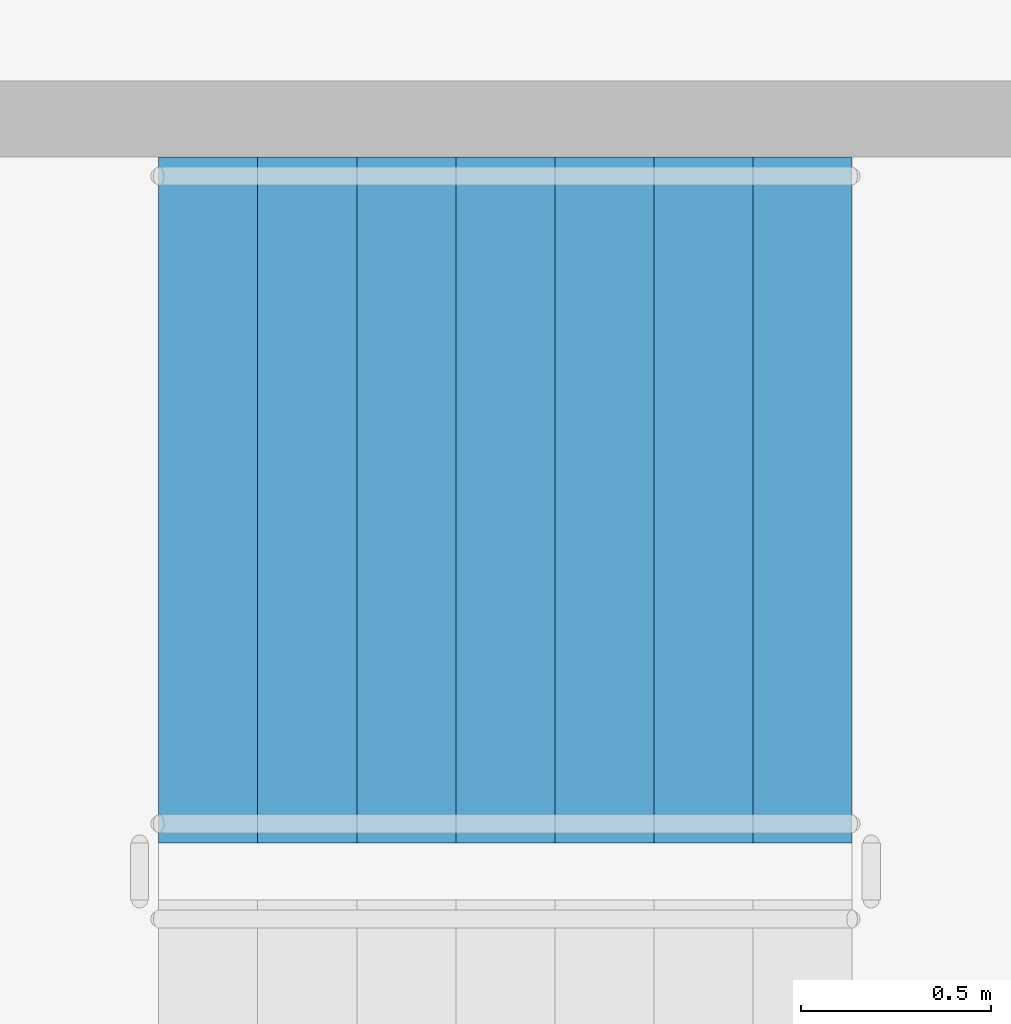
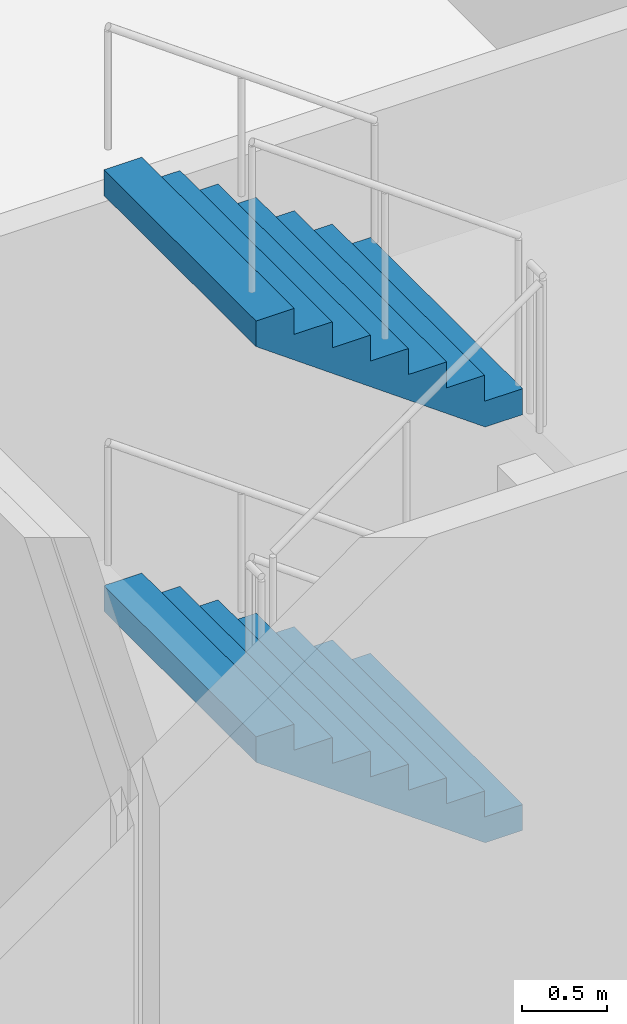
# One storey, part 41 of 75: 2 stair flights, 1 element without a shape of its own.
"""IFC4 building model written with IfcOpenShell, lengths in metres."""

from ifc_helpers import new_model, si_unit, direction, frame, origin, place, context, subcontext, project, spatial, faceted_brep, material, type_object, element, aggregate, save


model = new_model("IFC4")

# Units and contexts
model_context = context("Model", 3, precision=1e-05, world=origin(), true_north=direction((0.0, 1.0)))
body_context = subcontext(model_context, "Body", "Model", "MODEL_VIEW")
ifc_project = project(units=[si_unit("LENGTHUNIT", "METRE"), si_unit("AREAUNIT", "SQUARE_METRE"), si_unit("VOLUMEUNIT", "CUBIC_METRE"), si_unit("PLANEANGLEUNIT", "RADIAN"), si_unit("MASSUNIT", "GRAM", prefix="KILO")], contexts=[model_context])

# Site, building, storey
site_placement = place(None, origin())
site = spatial("IfcSite", under=ifc_project, at=site_placement, CompositionType="ELEMENT")
building_placement = place(site_placement, origin())
building = spatial("IfcBuilding", under=site, at=building_placement, Name="Ipe Terrace Towers", CompositionType="ELEMENT")
storey_placement = place(building_placement, origin())
storey = spatial("IfcBuildingStorey", under=building, at=storey_placement, Name="L00", CompositionType="ELEMENT", Elevation=0.0)

# Stair, stair flights
ifc_material_1 = material(Name="Concrete C30/37", Category="concrete")
stair_type = type_object("IfcStairType", Name="Protected exit stair", PredefinedType="HALF_TURN_STAIR", material=ifc_material_1)
stair_placement = place(storey_placement, origin())
stair = element("IfcStair", 1, at=stair_placement, inside=storey, type_object=stair_type, Name="L00 Podium exit stair PS4", PredefinedType="HALF_TURN_STAIR")
ifc_material_2 = material(Name="Concrete C30/37", Category="concrete")
stair_flight_type = type_object("IfcStairFlightType", Name="Exit stair flight 1800", PredefinedType="STRAIGHT", material=ifc_material_2)
stair_flight_1_placement = place(storey_placement, frame((-55.449951171875, -20.550048828125, 1.5), z_axis=(0.0, 0.0, 1.0), x_axis=(-1.0, 0.0, 0.0)))
stair_flight_1 = element("IfcStairFlight", 2, at=stair_flight_1_placement, type_object=stair_flight_type, Name="PS4 flight 2", NumberOfRisers=8, NumberOfTreads=7, PredefinedType="STRAIGHT", RiserHeight=0.1875, TreadLength=0.26, context=body_context, shape_type="Brep", body=[
    faceted_brep([(0.25634765625, -0.89990234375, 0.0), (1.820068359375, -0.89990234375, 1.127685546875), (1.820068359375, -0.89990234375, 1.3125), (1.56005859375, -0.89990234375, 1.3125), (1.56005859375, -0.89990234375, 1.125), (1.300048828125, -0.89990234375, 1.125), (1.300048828125, -0.89990234375, 0.9375), (1.0400390625, -0.89990234375, 0.9375), (1.0400390625, -0.89990234375, 0.75), (0.780029296875, -0.89990234375, 0.75), (0.780029296875, -0.89990234375, 0.5625), (0.52001953125, -0.89990234375, 0.5625), (0.52001953125, -0.89990234375, 0.375), (0.260009765625, -0.89990234375, 0.375), (0.260009765625, -0.89990234375, 0.1875), (0.0, -0.89990234375, 0.1875), (0.0, -0.89990234375, 0.0), (0.0, 0.89990234375, 0.0), (0.0, 0.89990234375, 0.1875), (0.260009765625, 0.89990234375, 0.1875), (0.260009765625, 0.89990234375, 0.375), (0.52001953125, 0.89990234375, 0.375), (0.52001953125, 0.89990234375, 0.5625), (0.780029296875, 0.89990234375, 0.5625), (0.780029296875, 0.89990234375, 0.75), (1.0400390625, 0.89990234375, 0.75), (1.0400390625, 0.89990234375, 0.9375), (1.300048828125, 0.89990234375, 0.9375), (1.300048828125, 0.89990234375, 1.125), (1.56005859375, 0.89990234375, 1.125), (1.56005859375, 0.89990234375, 1.3125), (1.820068359375, 0.89990234375, 1.3125), (1.820068359375, 0.89990234375, 1.127685546875), (0.25634765625, 0.89990234375, 0.0), (0.0, -0.300048828125, 0.1875), (0.0, -0.1201171875, 0.1875), (0.0, -0.06005859375, 0.1875), (0.0, -0.030029296875, 0.1875), (0.0, -0.010009765625, 0.1875), (0.0, 0.0, 0.1875), (0.0, 0.010009765625, 0.1875), (0.0, 0.030029296875, 0.1875), (0.0, 0.06005859375, 0.1875), (0.0, 0.1201171875, 0.1875), (0.0, 0.300048828125, 0.1875), (0.0, 0.300048828125, 0.0), (0.0, 0.1201171875, 0.0), (0.0, 0.06005859375, 0.0), (0.0, 0.030029296875, 0.0), (0.0, 0.010009765625, 0.0), (0.0, 0.0, 0.0), (0.0, -0.010009765625, 0.0), (0.0, -0.030029296875, 0.0), (0.0, -0.06005859375, 0.0), (0.0, -0.1201171875, 0.0), (0.0, -0.300048828125, 0.0), (0.260009765625, -0.300048828125, 0.1875), (0.260009765625, -0.1201171875, 0.1875), (0.260009765625, -0.06005859375, 0.1875), (0.260009765625, -0.030029296875, 0.1875), (0.260009765625, -0.010009765625, 0.1875), (0.260009765625, 0.0, 0.1875), (0.260009765625, 0.010009765625, 0.1875), (0.260009765625, 0.030029296875, 0.1875), (0.260009765625, 0.06005859375, 0.1875), (0.260009765625, 0.1201171875, 0.1875), (0.260009765625, 0.300048828125, 0.1875), (0.260009765625, -0.300048828125, 0.375), (0.260009765625, -0.1201171875, 0.375), (0.260009765625, -0.06005859375, 0.375), (0.260009765625, -0.030029296875, 0.375), (0.260009765625, -0.010009765625, 0.375), (0.260009765625, 0.0, 0.375), (0.260009765625, 0.010009765625, 0.375), (0.260009765625, 0.030029296875, 0.375), (0.260009765625, 0.06005859375, 0.375), (0.260009765625, 0.1201171875, 0.375), (0.260009765625, 0.300048828125, 0.375), (0.52001953125, -0.300048828125, 0.375), (0.52001953125, -0.1201171875, 0.375), (0.52001953125, -0.06005859375, 0.375), (0.52001953125, -0.030029296875, 0.375), (0.52001953125, -0.010009765625, 0.375), (0.52001953125, 0.0, 0.375), (0.52001953125, 0.010009765625, 0.375), (0.52001953125, 0.030029296875, 0.375), (0.52001953125, 0.06005859375, 0.375), (0.52001953125, 0.1201171875, 0.375), (0.52001953125, 0.300048828125, 0.375), (0.52001953125, -0.300048828125, 0.5625), (0.52001953125, -0.1201171875, 0.5625), (0.52001953125, -0.06005859375, 0.5625), (0.52001953125, -0.030029296875, 0.5625), (0.52001953125, -0.010009765625, 0.5625), (0.52001953125, 0.0, 0.5625), (0.52001953125, 0.010009765625, 0.5625), (0.52001953125, 0.030029296875, 0.5625), (0.52001953125, 0.06005859375, 0.5625), (0.52001953125, 0.1201171875, 0.5625), (0.52001953125, 0.300048828125, 0.5625), (0.780029296875, -0.300048828125, 0.5625), (0.780029296875, -0.1201171875, 0.5625), (0.780029296875, -0.06005859375, 0.5625), (0.780029296875, -0.030029296875, 0.5625), (0.780029296875, -0.010009765625, 0.5625), (0.780029296875, 0.0, 0.5625), (0.780029296875, 0.010009765625, 0.5625), (0.780029296875, 0.030029296875, 0.5625), (0.780029296875, 0.06005859375, 0.5625), (0.780029296875, 0.1201171875, 0.5625), (0.780029296875, 0.300048828125, 0.5625), (0.780029296875, -0.300048828125, 0.75), (0.780029296875, -0.1201171875, 0.75), (0.780029296875, -0.06005859375, 0.75), (0.780029296875, -0.030029296875, 0.75), (0.780029296875, -0.010009765625, 0.75), (0.780029296875, 0.0, 0.75), (0.780029296875, 0.010009765625, 0.75), (0.780029296875, 0.030029296875, 0.75), (0.780029296875, 0.06005859375, 0.75), (0.780029296875, 0.1201171875, 0.75), (0.780029296875, 0.300048828125, 0.75), (1.0400390625, -0.300048828125, 0.75), (1.0400390625, -0.1201171875, 0.75), (1.0400390625, -0.06005859375, 0.75), (1.0400390625, -0.030029296875, 0.75), (1.0400390625, -0.010009765625, 0.75), (1.0400390625, 0.0, 0.75), (1.0400390625, 0.010009765625, 0.75), (1.0400390625, 0.030029296875, 0.75), (1.0400390625, 0.06005859375, 0.75), (1.0400390625, 0.1201171875, 0.75), (1.0400390625, 0.300048828125, 0.75), (1.0400390625, -0.300048828125, 0.9375), (1.0400390625, -0.1201171875, 0.9375), (1.0400390625, -0.06005859375, 0.9375), (1.0400390625, -0.030029296875, 0.9375), (1.0400390625, -0.010009765625, 0.9375), (1.0400390625, 0.0, 0.9375), (1.0400390625, 0.010009765625, 0.9375), (1.0400390625, 0.030029296875, 0.9375), (1.0400390625, 0.06005859375, 0.9375), (1.0400390625, 0.1201171875, 0.9375), (1.0400390625, 0.300048828125, 0.9375), (1.300048828125, -0.300048828125, 0.9375), (1.300048828125, -0.1201171875, 0.9375), (1.300048828125, -0.06005859375, 0.9375), (1.300048828125, -0.030029296875, 0.9375), (1.300048828125, -0.010009765625, 0.9375), (1.300048828125, 0.0, 0.9375), (1.300048828125, 0.010009765625, 0.9375), (1.300048828125, 0.030029296875, 0.9375), (1.300048828125, 0.06005859375, 0.9375), (1.300048828125, 0.1201171875, 0.9375), (1.300048828125, 0.300048828125, 0.9375), (1.300048828125, -0.300048828125, 1.125), (1.300048828125, -0.1201171875, 1.125), (1.300048828125, -0.06005859375, 1.125), (1.300048828125, -0.030029296875, 1.125), (1.300048828125, -0.010009765625, 1.125), (1.300048828125, 0.0, 1.125), (1.300048828125, 0.010009765625, 1.125), (1.300048828125, 0.030029296875, 1.125), (1.300048828125, 0.06005859375, 1.125), (1.300048828125, 0.1201171875, 1.125), (1.300048828125, 0.300048828125, 1.125), (1.56005859375, -0.300048828125, 1.125), (1.56005859375, -0.1201171875, 1.125), (1.56005859375, -0.06005859375, 1.125), (1.56005859375, -0.030029296875, 1.125), (1.56005859375, -0.010009765625, 1.125), (1.56005859375, 0.0, 1.125), (1.56005859375, 0.010009765625, 1.125), (1.56005859375, 0.030029296875, 1.125), (1.56005859375, 0.06005859375, 1.125), (1.56005859375, 0.1201171875, 1.125), (1.56005859375, 0.300048828125, 1.125), (1.56005859375, -0.300048828125, 1.3125), (1.56005859375, -0.1201171875, 1.3125), (1.56005859375, -0.06005859375, 1.3125), (1.56005859375, -0.030029296875, 1.3125), (1.56005859375, -0.010009765625, 1.3125), (1.56005859375, 0.0, 1.3125), (1.56005859375, 0.010009765625, 1.3125), (1.56005859375, 0.030029296875, 1.3125), (1.56005859375, 0.06005859375, 1.3125), (1.56005859375, 0.1201171875, 1.3125), (1.56005859375, 0.300048828125, 1.3125), (1.820068359375, -0.300048828125, 1.3125), (1.820068359375, -0.1201171875, 1.3125), (1.820068359375, -0.06005859375, 1.3125), (1.820068359375, -0.030029296875, 1.3125), (1.820068359375, -0.010009765625, 1.3125), (1.820068359375, 0.0, 1.3125), (1.820068359375, 0.010009765625, 1.3125), (1.820068359375, 0.030029296875, 1.3125), (1.820068359375, 0.06005859375, 1.3125), (1.820068359375, 0.1201171875, 1.3125), (1.820068359375, 0.300048828125, 1.3125), (1.820068359375, -0.300048828125, 1.127685546875), (1.820068359375, -0.1201171875, 1.127685546875), (1.820068359375, -0.06005859375, 1.127685546875), (1.820068359375, -0.030029296875, 1.127685546875), (1.820068359375, -0.010009765625, 1.127685546875), (1.820068359375, 0.0, 1.127685546875), (1.820068359375, 0.010009765625, 1.127685546875), (1.820068359375, 0.030029296875, 1.127685546875), (1.820068359375, 0.06005859375, 1.127685546875), (1.820068359375, 0.1201171875, 1.127685546875), (1.820068359375, 0.300048828125, 1.127685546875), (0.25634765625, -0.300048828125, 0.0), (0.25634765625, -0.1201171875, 0.0), (0.25634765625, -0.06005859375, 0.0), (0.25634765625, -0.030029296875, 0.0), (0.25634765625, -0.010009765625, 0.0), (0.25634765625, 0.0, 0.0), (0.25634765625, 0.010009765625, 0.0), (0.25634765625, 0.030029296875, 0.0), (0.25634765625, 0.06005859375, 0.0), (0.25634765625, 0.1201171875, 0.0), (0.25634765625, 0.300048828125, 0.0)], [[[0, 1, 2, 3, 4, 5, 6, 7, 8, 9, 10, 11, 12, 13, 14, 15, 16]], [[17, 18, 19, 20, 21, 22, 23, 24, 25, 26, 27, 28, 29, 30, 31, 32, 33]], [[15, 34, 35, 36, 37, 38, 39, 40, 41, 42, 43, 44, 18, 17, 45, 46, 47, 48, 49, 50, 51, 52, 53, 54, 55, 16]], [[14, 56, 57, 58, 59, 60, 61, 62, 63, 64, 65, 66, 19, 18, 44, 43, 42, 41, 40, 39, 38, 37, 36, 35, 34, 15]], [[13, 67, 68, 69, 70, 71, 72, 73, 74, 75, 76, 77, 20, 19, 66, 65, 64, 63, 62, 61, 60, 59, 58, 57, 56, 14]], [[12, 78, 79, 80, 81, 82, 83, 84, 85, 86, 87, 88, 21, 20, 77, 76, 75, 74, 73, 72, 71, 70, 69, 68, 67, 13]], [[11, 89, 90, 91, 92, 93, 94, 95, 96, 97, 98, 99, 22, 21, 88, 87, 86, 85, 84, 83, 82, 81, 80, 79, 78, 12]], [[10, 100, 101, 102, 103, 104, 105, 106, 107, 108, 109, 110, 23, 22, 99, 98, 97, 96, 95, 94, 93, 92, 91, 90, 89, 11]], [[9, 111, 112, 113, 114, 115, 116, 117, 118, 119, 120, 121, 24, 23, 110, 109, 108, 107, 106, 105, 104, 103, 102, 101, 100, 10]], [[8, 122, 123, 124, 125, 126, 127, 128, 129, 130, 131, 132, 25, 24, 121, 120, 119, 118, 117, 116, 115, 114, 113, 112, 111, 9]], [[7, 133, 134, 135, 136, 137, 138, 139, 140, 141, 142, 143, 26, 25, 132, 131, 130, 129, 128, 127, 126, 125, 124, 123, 122, 8]], [[6, 144, 145, 146, 147, 148, 149, 150, 151, 152, 153, 154, 27, 26, 143, 142, 141, 140, 139, 138, 137, 136, 135, 134, 133, 7]], [[5, 155, 156, 157, 158, 159, 160, 161, 162, 163, 164, 165, 28, 27, 154, 153, 152, 151, 150, 149, 148, 147, 146, 145, 144, 6]], [[4, 166, 167, 168, 169, 170, 171, 172, 173, 174, 175, 176, 29, 28, 165, 164, 163, 162, 161, 160, 159, 158, 157, 156, 155, 5]], [[3, 177, 178, 179, 180, 181, 182, 183, 184, 185, 186, 187, 30, 29, 176, 175, 174, 173, 172, 171, 170, 169, 168, 167, 166, 4]], [[2, 188, 189, 190, 191, 192, 193, 194, 195, 196, 197, 198, 31, 30, 187, 186, 185, 184, 183, 182, 181, 180, 179, 178, 177, 3]], [[1, 199, 200, 201, 202, 203, 204, 205, 206, 207, 208, 209, 32, 31, 198, 197, 196, 195, 194, 193, 192, 191, 190, 189, 188, 2]], [[0, 210, 211, 212, 213, 214, 215, 216, 217, 218, 219, 220, 33, 32, 209, 208, 207, 206, 205, 204, 203, 202, 201, 200, 199, 1]], [[16, 55, 54, 53, 52, 51, 50, 49, 48, 47, 46, 45, 17, 33, 220, 219, 218, 217, 216, 215, 214, 213, 212, 211, 210, 0]]]),
])
stair_flight_2_placement = place(storey_placement, frame((-55.449951171875, -20.550048828125, 4.5), z_axis=(0.0, 0.0, 1.0), x_axis=(-1.0, 0.0, 0.0)))
stair_flight_2 = element("IfcStairFlight", 3, at=stair_flight_2_placement, type_object=stair_flight_type, Name="PS4 flight 4", NumberOfRisers=8, NumberOfTreads=7, PredefinedType="STRAIGHT", RiserHeight=0.1875, TreadLength=0.26, context=body_context, shape_type="Brep", body=[
    faceted_brep([(0.25634765625, -0.89990234375, 0.0), (1.820068359375, -0.89990234375, 1.127685546875), (1.820068359375, -0.89990234375, 1.3125), (1.56005859375, -0.89990234375, 1.3125), (1.56005859375, -0.89990234375, 1.125), (1.300048828125, -0.89990234375, 1.125), (1.300048828125, -0.89990234375, 0.9375), (1.0400390625, -0.89990234375, 0.9375), (1.0400390625, -0.89990234375, 0.75), (0.780029296875, -0.89990234375, 0.75), (0.780029296875, -0.89990234375, 0.5625), (0.52001953125, -0.89990234375, 0.5625), (0.52001953125, -0.89990234375, 0.375), (0.260009765625, -0.89990234375, 0.375), (0.260009765625, -0.89990234375, 0.1875), (0.0, -0.89990234375, 0.1875), (0.0, -0.89990234375, 0.0), (0.0, 0.89990234375, 0.0), (0.0, 0.89990234375, 0.1875), (0.260009765625, 0.89990234375, 0.1875), (0.260009765625, 0.89990234375, 0.375), (0.52001953125, 0.89990234375, 0.375), (0.52001953125, 0.89990234375, 0.5625), (0.780029296875, 0.89990234375, 0.5625), (0.780029296875, 0.89990234375, 0.75), (1.0400390625, 0.89990234375, 0.75), (1.0400390625, 0.89990234375, 0.9375), (1.300048828125, 0.89990234375, 0.9375), (1.300048828125, 0.89990234375, 1.125), (1.56005859375, 0.89990234375, 1.125), (1.56005859375, 0.89990234375, 1.3125), (1.820068359375, 0.89990234375, 1.3125), (1.820068359375, 0.89990234375, 1.127685546875), (0.25634765625, 0.89990234375, 0.0), (0.0, -0.300048828125, 0.1875), (0.0, -0.1201171875, 0.1875), (0.0, -0.06005859375, 0.1875), (0.0, -0.030029296875, 0.1875), (0.0, -0.010009765625, 0.1875), (0.0, 0.0, 0.1875), (0.0, 0.010009765625, 0.1875), (0.0, 0.030029296875, 0.1875), (0.0, 0.06005859375, 0.1875), (0.0, 0.1201171875, 0.1875), (0.0, 0.300048828125, 0.1875), (0.0, 0.300048828125, 0.0), (0.0, 0.1201171875, 0.0), (0.0, 0.06005859375, 0.0), (0.0, 0.030029296875, 0.0), (0.0, 0.010009765625, 0.0), (0.0, 0.0, 0.0), (0.0, -0.010009765625, 0.0), (0.0, -0.030029296875, 0.0), (0.0, -0.06005859375, 0.0), (0.0, -0.1201171875, 0.0), (0.0, -0.300048828125, 0.0), (0.260009765625, -0.300048828125, 0.1875), (0.260009765625, -0.1201171875, 0.1875), (0.260009765625, -0.06005859375, 0.1875), (0.260009765625, -0.030029296875, 0.1875), (0.260009765625, -0.010009765625, 0.1875), (0.260009765625, 0.0, 0.1875), (0.260009765625, 0.010009765625, 0.1875), (0.260009765625, 0.030029296875, 0.1875), (0.260009765625, 0.06005859375, 0.1875), (0.260009765625, 0.1201171875, 0.1875), (0.260009765625, 0.300048828125, 0.1875), (0.260009765625, -0.300048828125, 0.375), (0.260009765625, -0.1201171875, 0.375), (0.260009765625, -0.06005859375, 0.375), (0.260009765625, -0.030029296875, 0.375), (0.260009765625, -0.010009765625, 0.375), (0.260009765625, 0.0, 0.375), (0.260009765625, 0.010009765625, 0.375), (0.260009765625, 0.030029296875, 0.375), (0.260009765625, 0.06005859375, 0.375), (0.260009765625, 0.1201171875, 0.375), (0.260009765625, 0.300048828125, 0.375), (0.52001953125, -0.300048828125, 0.375), (0.52001953125, -0.1201171875, 0.375), (0.52001953125, -0.06005859375, 0.375), (0.52001953125, -0.030029296875, 0.375), (0.52001953125, -0.010009765625, 0.375), (0.52001953125, 0.0, 0.375), (0.52001953125, 0.010009765625, 0.375), (0.52001953125, 0.030029296875, 0.375), (0.52001953125, 0.06005859375, 0.375), (0.52001953125, 0.1201171875, 0.375), (0.52001953125, 0.300048828125, 0.375), (0.52001953125, -0.300048828125, 0.5625), (0.52001953125, -0.1201171875, 0.5625), (0.52001953125, -0.06005859375, 0.5625), (0.52001953125, -0.030029296875, 0.5625), (0.52001953125, -0.010009765625, 0.5625), (0.52001953125, 0.0, 0.5625), (0.52001953125, 0.010009765625, 0.5625), (0.52001953125, 0.030029296875, 0.5625), (0.52001953125, 0.06005859375, 0.5625), (0.52001953125, 0.1201171875, 0.5625), (0.52001953125, 0.300048828125, 0.5625), (0.780029296875, -0.300048828125, 0.5625), (0.780029296875, -0.1201171875, 0.5625), (0.780029296875, -0.06005859375, 0.5625), (0.780029296875, -0.030029296875, 0.5625), (0.780029296875, -0.010009765625, 0.5625), (0.780029296875, 0.0, 0.5625), (0.780029296875, 0.010009765625, 0.5625), (0.780029296875, 0.030029296875, 0.5625), (0.780029296875, 0.06005859375, 0.5625), (0.780029296875, 0.1201171875, 0.5625), (0.780029296875, 0.300048828125, 0.5625), (0.780029296875, -0.300048828125, 0.75), (0.780029296875, -0.1201171875, 0.75), (0.780029296875, -0.06005859375, 0.75), (0.780029296875, -0.030029296875, 0.75), (0.780029296875, -0.010009765625, 0.75), (0.780029296875, 0.0, 0.75), (0.780029296875, 0.010009765625, 0.75), (0.780029296875, 0.030029296875, 0.75), (0.780029296875, 0.06005859375, 0.75), (0.780029296875, 0.1201171875, 0.75), (0.780029296875, 0.300048828125, 0.75), (1.0400390625, -0.300048828125, 0.75), (1.0400390625, -0.1201171875, 0.75), (1.0400390625, -0.06005859375, 0.75), (1.0400390625, -0.030029296875, 0.75), (1.0400390625, -0.010009765625, 0.75), (1.0400390625, 0.0, 0.75), (1.0400390625, 0.010009765625, 0.75), (1.0400390625, 0.030029296875, 0.75), (1.0400390625, 0.06005859375, 0.75), (1.0400390625, 0.1201171875, 0.75), (1.0400390625, 0.300048828125, 0.75), (1.0400390625, -0.300048828125, 0.9375), (1.0400390625, -0.1201171875, 0.9375), (1.0400390625, -0.06005859375, 0.9375), (1.0400390625, -0.030029296875, 0.9375), (1.0400390625, -0.010009765625, 0.9375), (1.0400390625, 0.0, 0.9375), (1.0400390625, 0.010009765625, 0.9375), (1.0400390625, 0.030029296875, 0.9375), (1.0400390625, 0.06005859375, 0.9375), (1.0400390625, 0.1201171875, 0.9375), (1.0400390625, 0.300048828125, 0.9375), (1.300048828125, -0.300048828125, 0.9375), (1.300048828125, -0.1201171875, 0.9375), (1.300048828125, -0.06005859375, 0.9375), (1.300048828125, -0.030029296875, 0.9375), (1.300048828125, -0.010009765625, 0.9375), (1.300048828125, 0.0, 0.9375), (1.300048828125, 0.010009765625, 0.9375), (1.300048828125, 0.030029296875, 0.9375), (1.300048828125, 0.06005859375, 0.9375), (1.300048828125, 0.1201171875, 0.9375), (1.300048828125, 0.300048828125, 0.9375), (1.300048828125, -0.300048828125, 1.125), (1.300048828125, -0.1201171875, 1.125), (1.300048828125, -0.06005859375, 1.125), (1.300048828125, -0.030029296875, 1.125), (1.300048828125, -0.010009765625, 1.125), (1.300048828125, 0.0, 1.125), (1.300048828125, 0.010009765625, 1.125), (1.300048828125, 0.030029296875, 1.125), (1.300048828125, 0.06005859375, 1.125), (1.300048828125, 0.1201171875, 1.125), (1.300048828125, 0.300048828125, 1.125), (1.56005859375, -0.300048828125, 1.125), (1.56005859375, -0.1201171875, 1.125), (1.56005859375, -0.06005859375, 1.125), (1.56005859375, -0.030029296875, 1.125), (1.56005859375, -0.010009765625, 1.125), (1.56005859375, 0.0, 1.125), (1.56005859375, 0.010009765625, 1.125), (1.56005859375, 0.030029296875, 1.125), (1.56005859375, 0.06005859375, 1.125), (1.56005859375, 0.1201171875, 1.125), (1.56005859375, 0.300048828125, 1.125), (1.56005859375, -0.300048828125, 1.3125), (1.56005859375, -0.1201171875, 1.3125), (1.56005859375, -0.06005859375, 1.3125), (1.56005859375, -0.030029296875, 1.3125), (1.56005859375, -0.010009765625, 1.3125), (1.56005859375, 0.0, 1.3125), (1.56005859375, 0.010009765625, 1.3125), (1.56005859375, 0.030029296875, 1.3125), (1.56005859375, 0.06005859375, 1.3125), (1.56005859375, 0.1201171875, 1.3125), (1.56005859375, 0.300048828125, 1.3125), (1.820068359375, -0.300048828125, 1.3125), (1.820068359375, -0.1201171875, 1.3125), (1.820068359375, -0.06005859375, 1.3125), (1.820068359375, -0.030029296875, 1.3125), (1.820068359375, -0.010009765625, 1.3125), (1.820068359375, 0.0, 1.3125), (1.820068359375, 0.010009765625, 1.3125), (1.820068359375, 0.030029296875, 1.3125), (1.820068359375, 0.06005859375, 1.3125), (1.820068359375, 0.1201171875, 1.3125), (1.820068359375, 0.300048828125, 1.3125), (1.820068359375, -0.300048828125, 1.127685546875), (1.820068359375, -0.1201171875, 1.127685546875), (1.820068359375, -0.06005859375, 1.127685546875), (1.820068359375, -0.030029296875, 1.127685546875), (1.820068359375, -0.010009765625, 1.127685546875), (1.820068359375, 0.0, 1.127685546875), (1.820068359375, 0.010009765625, 1.127685546875), (1.820068359375, 0.030029296875, 1.127685546875), (1.820068359375, 0.06005859375, 1.127685546875), (1.820068359375, 0.1201171875, 1.127685546875), (1.820068359375, 0.300048828125, 1.127685546875), (0.25634765625, -0.300048828125, 0.0), (0.25634765625, -0.1201171875, 0.0), (0.25634765625, -0.06005859375, 0.0), (0.25634765625, -0.030029296875, 0.0), (0.25634765625, -0.010009765625, 0.0), (0.25634765625, 0.0, 0.0), (0.25634765625, 0.010009765625, 0.0), (0.25634765625, 0.030029296875, 0.0), (0.25634765625, 0.06005859375, 0.0), (0.25634765625, 0.1201171875, 0.0), (0.25634765625, 0.300048828125, 0.0)], [[[0, 1, 2, 3, 4, 5, 6, 7, 8, 9, 10, 11, 12, 13, 14, 15, 16]], [[17, 18, 19, 20, 21, 22, 23, 24, 25, 26, 27, 28, 29, 30, 31, 32, 33]], [[15, 34, 35, 36, 37, 38, 39, 40, 41, 42, 43, 44, 18, 17, 45, 46, 47, 48, 49, 50, 51, 52, 53, 54, 55, 16]], [[14, 56, 57, 58, 59, 60, 61, 62, 63, 64, 65, 66, 19, 18, 44, 43, 42, 41, 40, 39, 38, 37, 36, 35, 34, 15]], [[13, 67, 68, 69, 70, 71, 72, 73, 74, 75, 76, 77, 20, 19, 66, 65, 64, 63, 62, 61, 60, 59, 58, 57, 56, 14]], [[12, 78, 79, 80, 81, 82, 83, 84, 85, 86, 87, 88, 21, 20, 77, 76, 75, 74, 73, 72, 71, 70, 69, 68, 67, 13]], [[11, 89, 90, 91, 92, 93, 94, 95, 96, 97, 98, 99, 22, 21, 88, 87, 86, 85, 84, 83, 82, 81, 80, 79, 78, 12]], [[10, 100, 101, 102, 103, 104, 105, 106, 107, 108, 109, 110, 23, 22, 99, 98, 97, 96, 95, 94, 93, 92, 91, 90, 89, 11]], [[9, 111, 112, 113, 114, 115, 116, 117, 118, 119, 120, 121, 24, 23, 110, 109, 108, 107, 106, 105, 104, 103, 102, 101, 100, 10]], [[8, 122, 123, 124, 125, 126, 127, 128, 129, 130, 131, 132, 25, 24, 121, 120, 119, 118, 117, 116, 115, 114, 113, 112, 111, 9]], [[7, 133, 134, 135, 136, 137, 138, 139, 140, 141, 142, 143, 26, 25, 132, 131, 130, 129, 128, 127, 126, 125, 124, 123, 122, 8]], [[6, 144, 145, 146, 147, 148, 149, 150, 151, 152, 153, 154, 27, 26, 143, 142, 141, 140, 139, 138, 137, 136, 135, 134, 133, 7]], [[5, 155, 156, 157, 158, 159, 160, 161, 162, 163, 164, 165, 28, 27, 154, 153, 152, 151, 150, 149, 148, 147, 146, 145, 144, 6]], [[4, 166, 167, 168, 169, 170, 171, 172, 173, 174, 175, 176, 29, 28, 165, 164, 163, 162, 161, 160, 159, 158, 157, 156, 155, 5]], [[3, 177, 178, 179, 180, 181, 182, 183, 184, 185, 186, 187, 30, 29, 176, 175, 174, 173, 172, 171, 170, 169, 168, 167, 166, 4]], [[2, 188, 189, 190, 191, 192, 193, 194, 195, 196, 197, 198, 31, 30, 187, 186, 185, 184, 183, 182, 181, 180, 179, 178, 177, 3]], [[1, 199, 200, 201, 202, 203, 204, 205, 206, 207, 208, 209, 32, 31, 198, 197, 196, 195, 194, 193, 192, 191, 190, 189, 188, 2]], [[0, 210, 211, 212, 213, 214, 215, 216, 217, 218, 219, 220, 33, 32, 209, 208, 207, 206, 205, 204, 203, 202, 201, 200, 199, 1]], [[16, 55, 54, 53, 52, 51, 50, 49, 48, 47, 46, 45, 17, 33, 220, 219, 218, 217, 216, 215, 214, 213, 212, 211, 210, 0]]]),
])
aggregate(stair, [stair_flight_1, stair_flight_2])

save(model, "model.ifc")
